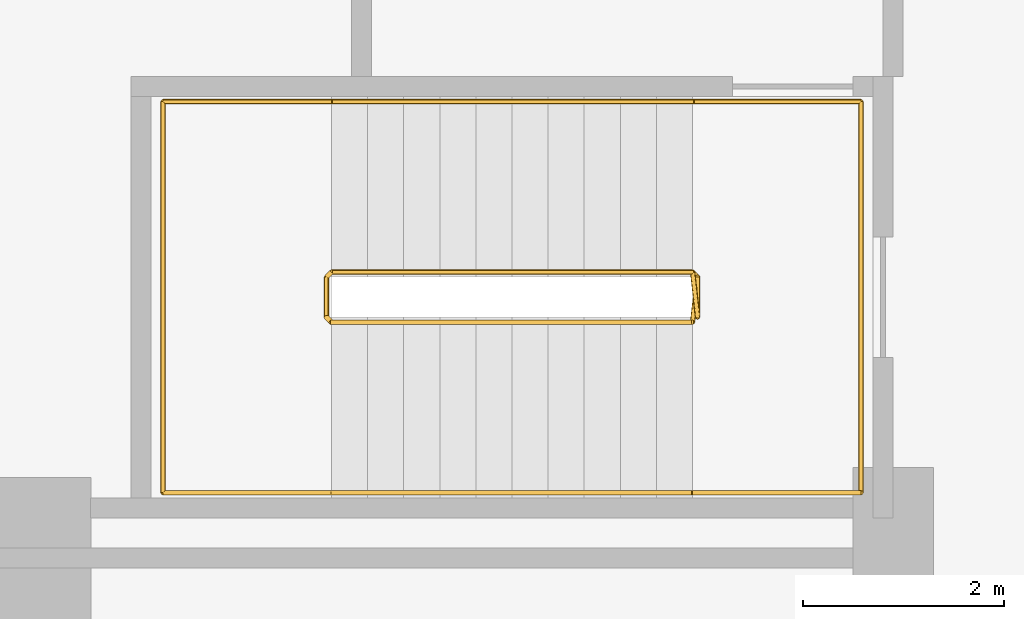
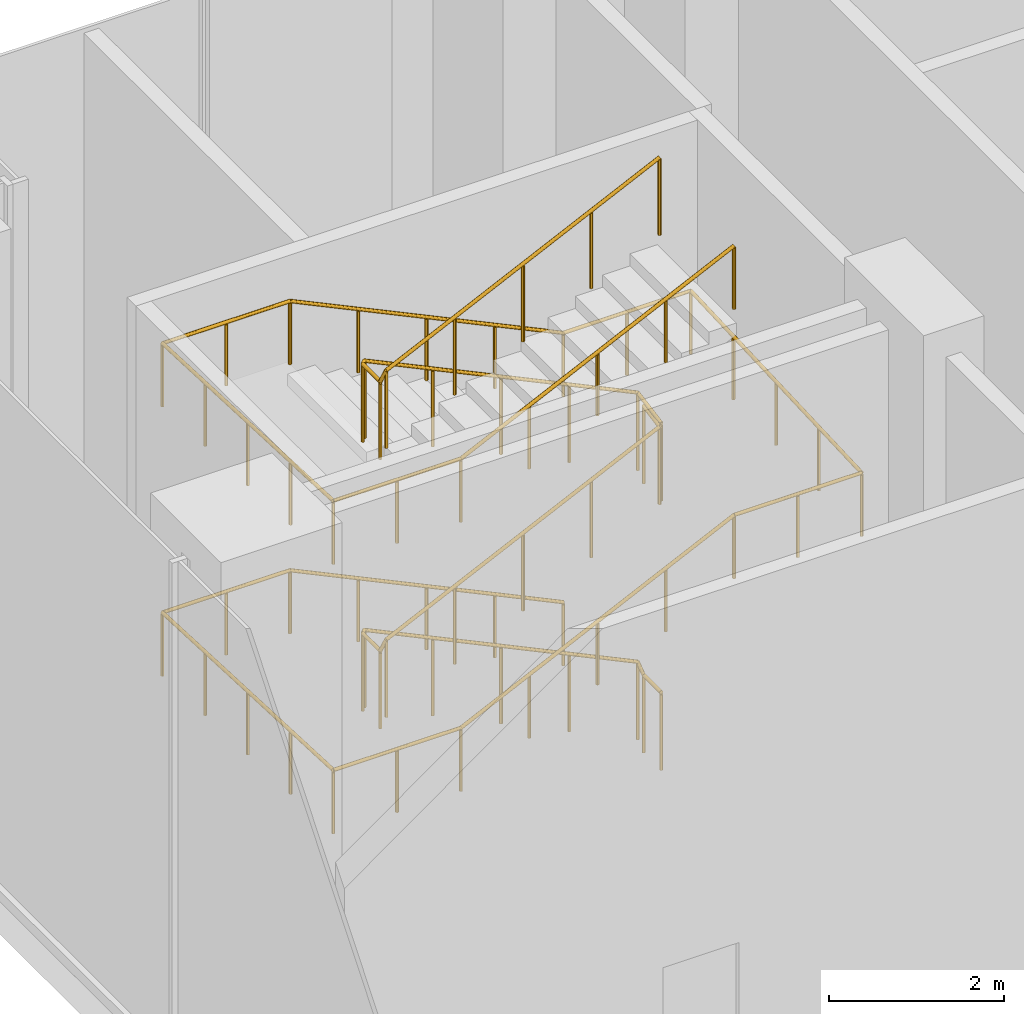
# One storey, part 40 of 41: 3 railings.
"""IFC4 building model written with IfcOpenShell, lengths in metres."""

import ifcopenshell
import ifcopenshell.guid

model = None  # the IFC model being written
_history = None  # IfcOwnerHistory: only IFC2X3 demands one
_inside = {}  # id of a spatial element -> (the spatial element, [elements in it])
_under = {}  # id of a project, library or spatial element -> (it, [spatial elements below it])
_declared = {}  # id of a project -> (the project, [libraries it declares])
_typed = {}  # id of a type object -> (the type object, [elements of that type])
_made_of = {}  # id of a material, layer set ... -> (it, [elements and type objects made of it])


def new_model(schema):
    """Start an empty IFC model of exactly this schema.

    Asked for "IFC4X3", IfcOpenShell would pick the latest addendum, in which some entities
    have other attributes; the version numbers below select the first issue.
    IFC2X3 requires an IfcOwnerHistory on every rooted entity: one is made here for all.
    """
    global model, _history
    if schema == "IFC4X3":
        model = ifcopenshell.file(schema_version=(4, 3, 0, 0))
    else:
        model = ifcopenshell.file(schema=schema)
    _inside.clear()
    _under.clear()
    _declared.clear()
    _typed.clear()
    _made_of.clear()
    _history = None
    if model.schema == "IFC2X3":
        org = make("IfcOrganization", Name="unknown")
        user = make(
            "IfcPersonAndOrganization",
            ThePerson=make("IfcPerson", FamilyName="unknown"),
            TheOrganization=org,
        )
        app = make(
            "IfcApplication",
            ApplicationDeveloper=org,
            Version="unknown",
            ApplicationFullName="unknown",
            ApplicationIdentifier="unknown",
        )
        _history = make(
            "IfcOwnerHistory",
            OwningUser=user,
            OwningApplication=app,
            ChangeAction="ADDED",
            CreationDate=0,
        )
    return model


def make(cls, **values):
    """One entity of the class cls with the attributes given. An attribute that is None is left unset."""
    return model.create_entity(
        cls, **{name: value for name, value in values.items() if value is not None}
    )


def rooted(cls, **values):
    """An entity with a GlobalId (a new one), such as an element, a storey or a relation."""
    return make(cls, GlobalId=ifcopenshell.guid.new(), OwnerHistory=_history, **values)


def si_unit(unit_type, name, prefix=None):
    """IfcSIUnit, for example si_unit("LENGTHUNIT", "METRE", prefix="MILLI")."""
    return make("IfcSIUnit", UnitType=unit_type, Prefix=prefix, Name=name)


def assignment(units):
    """IfcUnitAssignment: the units of a project."""
    return None if units is None else make("IfcUnitAssignment", Units=units)


def point(xyz):
    """IfcCartesianPoint."""
    return None if xyz is None else make("IfcCartesianPoint", Coordinates=xyz)


def direction(xyz):
    """IfcDirection."""
    return None if xyz is None else make("IfcDirection", DirectionRatios=xyz)


def frame(location, z_axis=None, x_axis=None):
    """IfcAxis2Placement3D, a coordinate frame: its origin and axes. An axis left out is left unset."""
    return make(
        "IfcAxis2Placement3D",
        Location=point(location),
        Axis=direction(z_axis),
        RefDirection=direction(x_axis),
    )


def frame_2d(location, x_axis=None):
    """IfcAxis2Placement2D, a coordinate frame in the plane: its origin and x axis."""
    return make(
        "IfcAxis2Placement2D", Location=point(location), RefDirection=direction(x_axis)
    )


def origin():
    """The frame at (0, 0, 0) with its axes left unset."""
    return frame((0.0, 0.0, 0.0))


def origin_2d():
    """The frame at (0, 0) in the plane with its x axis left unset."""
    return frame_2d((0.0, 0.0))


def place(relative_to, where):
    """IfcLocalPlacement: puts the frame where relative to a parent placement (None: the world)."""
    return make(
        "IfcLocalPlacement", PlacementRelTo=relative_to, RelativePlacement=where
    )


def context(
    kind, dimensions, precision=None, world=None, true_north=None, identifier=None
):
    """IfcGeometricRepresentationContext, for example the 3D "Model" context."""
    return make(
        "IfcGeometricRepresentationContext",
        ContextIdentifier=identifier,
        ContextType=kind,
        CoordinateSpaceDimension=dimensions,
        Precision=precision,
        WorldCoordinateSystem=world,
        TrueNorth=true_north,
    )


def subcontext(parent, identifier, kind, view, scale=None):
    """IfcGeometricRepresentationSubContext, for example "Body" below "Model"."""
    return make(
        "IfcGeometricRepresentationSubContext",
        ContextIdentifier=identifier,
        ContextType=kind,
        ParentContext=parent,
        TargetScale=scale,
        TargetView=view,
    )


def project(units=None, contexts=None):
    """IfcProject with its units and contexts."""
    return rooted(
        "IfcProject",
        Name="project",
        RepresentationContexts=contexts,
        UnitsInContext=assignment(units),
    )


def spatial(cls, under=None, at=None, **own):
    """A site, building, storey or space (cls), placed at a placement, below another one or the project."""
    s = rooted(cls, ObjectPlacement=at, **own)
    if under is not None:
        _under.setdefault(under.id(), (under, []))[1].append(s)
    return s


def profile(cls, at=None, kind="AREA", **sizes):
    """A parametric profile (cls). Its sizes go by their IFC names, for example OverallWidth=200.0."""
    return make(cls, ProfileType=kind, Position=at, **sizes)


def circle(**sizes):
    """IfcCircleProfileDef."""
    return profile("IfcCircleProfileDef", **sizes)


def extrude(swept, where, along, depth):
    """IfcExtrudedAreaSolid: the profile swept, set in the frame where, extruded along a direction by depth."""
    return make(
        "IfcExtrudedAreaSolid",
        SweptArea=swept,
        Position=where,
        ExtrudedDirection=direction(along),
        Depth=depth,
    )


def shape(context_of_items, identifier, shape_type, items):
    """IfcShapeRepresentation: the items that make up one representation, for example the "Body"."""
    return make(
        "IfcShapeRepresentation",
        ContextOfItems=context_of_items,
        RepresentationIdentifier=identifier,
        RepresentationType=shape_type,
        Items=items,
    )


def material(Name=None, Category=None):
    """IfcMaterial."""
    return make("IfcMaterial", Name=Name, Category=Category)


def made_of(thing, what):
    """Note that an element or type object is made of a material, layer set ...; save() writes the relation."""
    if what is not None:
        _made_of.setdefault(what.id(), (what, []))[1].append(thing)
    return thing


def type_object(cls, material=None, **own):
    """A type object (cls), such as IfcWallType, which elements share."""
    return made_of(rooted(cls, **own), material)


def element(
    cls,
    number,
    at=None,
    inside=None,
    cuts=None,
    type_object=None,
    material=None,
    context=None,
    identifier="Body",
    shape_type=None,
    held_by="IfcProductDefinitionShape",
    body=None,
    shapes=None,
    **own,
):
    """One element of the class cls, such as IfcWall. Its Tag is "e" and its number.

    at: its placement. inside: the storey or other place that contains it. cuts: it is an
    opening in that element (IfcRelVoidsElement). A single representation is given by context,
    identifier, shape_type and body (its items); several are given by shapes. held_by: the class
    of the entity that holds the representations. save() writes the other relations.
    """
    e = rooted(cls, Tag="e%d" % number, ObjectPlacement=at, **own)
    if body is not None:
        shapes = [shape(context, identifier, shape_type, body)]
    if shapes is not None:
        e.Representation = make(held_by, Representations=shapes)
    if inside is not None:
        _inside.setdefault(inside.id(), (inside, []))[1].append(e)
    if cuts is not None:
        rooted(
            "IfcRelVoidsElement", RelatingBuildingElement=cuts, RelatedOpeningElement=e
        )
    if type_object is not None:
        _typed.setdefault(type_object.id(), (type_object, []))[1].append(e)
    return made_of(e, material)


def aggregate(whole, parts):
    """IfcRelAggregates: a whole, such as a stair, and the parts it consists of."""
    return rooted("IfcRelAggregates", RelatingObject=whole, RelatedObjects=parts)


def save(model, path):
    """Write the relations noted so far, then the file.

    IfcRelAggregates (storeys below a building ...), IfcRelContainedInSpatialStructure (elements
    in a storey), IfcRelDefinesByType, IfcRelAssociatesMaterial and IfcRelDeclares: one each for
    every whole, place, type object, material and project.
    """
    for whole, parts in _under.values():
        aggregate(whole, parts)
    for where, things in _inside.values():
        rooted(
            "IfcRelContainedInSpatialStructure",
            RelatedElements=things,
            RelatingStructure=where,
        )
    for kind, things in _typed.values():
        rooted("IfcRelDefinesByType", RelatedObjects=things, RelatingType=kind)
    for what, things in _made_of.values():
        rooted("IfcRelAssociatesMaterial", RelatedObjects=things, RelatingMaterial=what)
    for by, libraries in _declared.values():
        rooted("IfcRelDeclares", RelatingContext=by, RelatedDefinitions=libraries)
    model.write(path)


model = new_model("IFC4")

# Units and contexts
model_context = context("Model", 3, precision=1e-05, world=origin(), true_north=direction((0.0, 1.0)))
body_context = subcontext(model_context, "Body", "Model", "MODEL_VIEW")
ifc_project = project(units=[si_unit("LENGTHUNIT", "METRE"), si_unit("AREAUNIT", "SQUARE_METRE"), si_unit("VOLUMEUNIT", "CUBIC_METRE"), si_unit("PLANEANGLEUNIT", "RADIAN"), si_unit("MASSUNIT", "GRAM", prefix="KILO")], contexts=[model_context])

# Site, building, storey
site_placement = place(None, origin())
site = spatial("IfcSite", under=ifc_project, at=site_placement, CompositionType="ELEMENT")
building_placement = place(site_placement, origin())
building = spatial("IfcBuilding", under=site, at=building_placement, Name="Kemantara Hotel Tower", CompositionType="ELEMENT")
storey_placement = place(building_placement, origin())
storey = spatial("IfcBuildingStorey", under=building, at=storey_placement, Name="L00", CompositionType="ELEMENT", Elevation=0.0)

# Railings
ifc_material = material(Name="Stainless steel balustrade", Category="steel")
railing_type_1 = type_object("IfcRailingType", Name="Stair guard 1100 mm", PredefinedType="GUARDRAIL", material=ifc_material)
railing_1_placement = place(storey_placement, frame((7.800048828125, 73.75, 7.5)))
element("IfcRailing", 1, at=railing_1_placement, inside=storey, type_object=railing_type_1, Name="L00 ST6 stair guard 1", PredefinedType="GUARDRAIL", context=body_context, shape_type="SweptSolid", body=[
    extrude(circle(Radius=0.02392578125, at=origin_2d()), frame((0.0, 0.0, 1.076171875), z_axis=(-0.903807716052, 0.0, -0.427938795163), x_axis=(0.0, -1.0, 0.0)), (0.0, 0.0, 1.0), 3.983154296875),
    extrude(circle(Radius=0.02392578125, at=origin_2d()), frame((-3.60009765625, 0.0, -0.62841796875), z_axis=(-0.271230943075, 0.271230943075, -0.923508284228), x_axis=(-0.707106781187, -0.707106781187, 0.0)), (0.0, 0.0, 1.0), 0.1845703125),
    extrude(circle(Radius=0.02392578125, at=origin_2d()), frame((-3.650146484375, 0.050048828125, -0.798828125), z_axis=(0.0, 1.0, 0.0), x_axis=(-1.0, 0.0, 0.0)), (0.0, 0.0, 1.0), 0.39990234375),
    extrude(circle(Radius=0.02392578125, at=origin_2d()), frame((-3.650146484375, 0.449951171875, -0.798828125), z_axis=(0.707106781187, 0.707106781187, 0.0), x_axis=(-0.707106781187, 0.707106781187, 0.0)), (0.0, 0.0, 1.0), 0.07080078125),
    extrude(circle(Radius=0.02392578125, at=origin_2d()), frame((-3.60009765625, 0.5, -0.798828125), z_axis=(0.903807716052, 0.0, -0.427938795163), x_axis=(0.0, 1.0, 0.0)), (0.0, 0.0, 1.0), 3.983154296875),
    extrude(circle(Radius=0.02392578125, at=origin_2d()), frame((0.0, 0.5, -2.50341796875), z_axis=(0.103463093947, -0.930158449486, -0.35227921744), x_axis=(0.993870574751, 0.110549901152, 0.0)), (0.0, 0.0, 1.0), 0.483642578125),
    extrude(circle(Radius=0.02392578125, at=origin_2d()), frame((0.050048828125, 0.050048828125, -2.673828125), z_axis=(0.0, 1.0, 0.0), x_axis=(-1.0, 0.0, 0.0)), (0.0, 0.0, 1.0), 0.39990234375),
    extrude(circle(Radius=0.02392578125, at=origin_2d()), frame((0.050048828125, 0.449951171875, -2.673828125), z_axis=(-0.110549901152, -0.993870574751, 0.0), x_axis=(0.993870574751, -0.110549901152, 0.0)), (0.0, 0.0, 1.0), 0.45263671875),
    extrude(circle(Radius=0.02392578125, at=origin_2d()), frame((0.0, 0.0, -2.673828125), z_axis=(-0.903807716052, 0.0, -0.427938795163), x_axis=(0.0, -1.0, 0.0)), (0.0, 0.0, 1.0), 3.983154296875),
    extrude(circle(Radius=0.02392578125, at=origin_2d()), frame((-3.60009765625, 0.0, -4.37841796875), z_axis=(-0.271230943075, 0.271230943075, -0.923508284228), x_axis=(-0.707106781187, -0.707106781187, 0.0)), (0.0, 0.0, 1.0), 0.1845703125),
    extrude(circle(Radius=0.02392578125, at=origin_2d()), frame((-3.650146484375, 0.050048828125, -4.548828125), z_axis=(0.0, 1.0, 0.0), x_axis=(-1.0, 0.0, 0.0)), (0.0, 0.0, 1.0), 0.39990234375),
    extrude(circle(Radius=0.02392578125, at=origin_2d()), frame((-3.650146484375, 0.449951171875, -4.548828125), z_axis=(0.707106781187, 0.707106781187, 0.0), x_axis=(-0.707106781187, 0.707106781187, 0.0)), (0.0, 0.0, 1.0), 0.07080078125),
    extrude(circle(Radius=0.02392578125, at=origin_2d()), frame((-3.60009765625, 0.5, -4.548828125), z_axis=(0.903807716052, 0.0, -0.427938795163), x_axis=(0.0, 1.0, 0.0)), (0.0, 0.0, 1.0), 3.983154296875),
    extrude(circle(Radius=0.02392578125, at=origin_2d()), frame((0.0, 0.5, -6.25341796875), z_axis=(0.271230943075, -0.271230943075, -0.923508284228), x_axis=(0.707106781187, 0.707106781187, 0.0)), (0.0, 0.0, 1.0), 0.1845703125),
    extrude(circle(Radius=0.02392578125, at=origin_2d()), frame((0.050048828125, 0.449951171875, -6.423828125), z_axis=(0.0, -1.0, 0.0), x_axis=(1.0, 0.0, 0.0)), (0.0, 0.0, 1.0), 0.39990234375),
    extrude(circle(Radius=0.02099609375, at=origin_2d()), origin(), (0.0, 0.0, 1.0), 1.052001953125),
    extrude(circle(Radius=0.02099609375, at=origin_2d()), frame((-0.89990234375, 0.0, -0.42626953125)), (0.0, 0.0, 1.0), 1.052001953125),
    extrude(circle(Radius=0.02099609375, at=origin_2d()), frame((-1.800048828125, 0.0, -0.852294921875)), (0.0, 0.0, 1.0), 1.052001953125),
    extrude(circle(Radius=0.02099609375, at=origin_2d()), frame((-2.7001953125, 0.0, -1.2783203125)), (0.0, 0.0, 1.0), 1.052001953125),
    extrude(circle(Radius=0.02099609375, at=origin_2d()), frame((-3.60009765625, 0.0, -1.70458984375)), (0.0, 0.0, 1.0), 1.052001953125),
    extrude(circle(Radius=0.02099609375, at=origin_2d()), frame((-3.650146484375, 0.050048828125, -1.875)), (0.0, 0.0, 1.0), 1.052001953125),
    extrude(circle(Radius=0.02099609375, at=origin_2d()), frame((-3.650146484375, 0.449951171875, -1.875)), (0.0, 0.0, 1.0), 1.052001953125),
    extrude(circle(Radius=0.02099609375, at=origin_2d()), frame((-3.60009765625, 0.5, -1.875)), (0.0, 0.0, 1.0), 1.052001953125),
    extrude(circle(Radius=0.02099609375, at=origin_2d()), frame((-2.7001953125, 0.5, -2.30126953125)), (0.0, 0.0, 1.0), 1.052001953125),
    extrude(circle(Radius=0.02099609375, at=origin_2d()), frame((-1.800048828125, 0.5, -2.727294921875)), (0.0, 0.0, 1.0), 1.052001953125),
    extrude(circle(Radius=0.02099609375, at=origin_2d()), frame((-0.89990234375, 0.5, -3.1533203125)), (0.0, 0.0, 1.0), 1.052001953125),
    extrude(circle(Radius=0.02099609375, at=origin_2d()), frame((0.0, 0.5, -3.57958984375)), (0.0, 0.0, 1.0), 1.052001953125),
    extrude(circle(Radius=0.02099609375, at=origin_2d()), frame((0.050048828125, 0.050048828125, -3.75)), (0.0, 0.0, 1.0), 1.052001953125),
    extrude(circle(Radius=0.02099609375, at=origin_2d()), frame((0.050048828125, 0.449951171875, -3.75)), (0.0, 0.0, 1.0), 1.052001953125),
    extrude(circle(Radius=0.02099609375, at=origin_2d()), frame((0.0, 0.0, -3.75)), (0.0, 0.0, 1.0), 1.052001953125),
    extrude(circle(Radius=0.02099609375, at=origin_2d()), frame((-0.89990234375, 0.0, -4.17626953125)), (0.0, 0.0, 1.0), 1.052001953125),
    extrude(circle(Radius=0.02099609375, at=origin_2d()), frame((-1.800048828125, 0.0, -4.602294921875)), (0.0, 0.0, 1.0), 1.052001953125),
    extrude(circle(Radius=0.02099609375, at=origin_2d()), frame((-2.7001953125, 0.0, -5.0283203125)), (0.0, 0.0, 1.0), 1.052001953125),
    extrude(circle(Radius=0.02099609375, at=origin_2d()), frame((-3.60009765625, 0.0, -5.45458984375)), (0.0, 0.0, 1.0), 1.052001953125),
    extrude(circle(Radius=0.02099609375, at=origin_2d()), frame((-3.650146484375, 0.050048828125, -5.625)), (0.0, 0.0, 1.0), 1.052001953125),
    extrude(circle(Radius=0.02099609375, at=origin_2d()), frame((-3.650146484375, 0.449951171875, -5.625)), (0.0, 0.0, 1.0), 1.052001953125),
    extrude(circle(Radius=0.02099609375, at=origin_2d()), frame((-3.60009765625, 0.5, -5.625)), (0.0, 0.0, 1.0), 1.052001953125),
    extrude(circle(Radius=0.02099609375, at=origin_2d()), frame((-2.7001953125, 0.5, -6.05126953125)), (0.0, 0.0, 1.0), 1.052001953125),
    extrude(circle(Radius=0.02099609375, at=origin_2d()), frame((-1.800048828125, 0.5, -6.477294921875)), (0.0, 0.0, 1.0), 1.052001953125),
    extrude(circle(Radius=0.02099609375, at=origin_2d()), frame((-0.89990234375, 0.5, -6.9033203125)), (0.0, 0.0, 1.0), 1.052001953125),
    extrude(circle(Radius=0.02099609375, at=origin_2d()), frame((0.0, 0.5, -7.32958984375)), (0.0, 0.0, 1.0), 1.052001953125),
    extrude(circle(Radius=0.02099609375, at=origin_2d()), frame((0.050048828125, 0.449951171875, -7.5)), (0.0, 0.0, 1.0), 1.052001953125),
    extrude(circle(Radius=0.02099609375, at=origin_2d()), frame((0.050048828125, 0.050048828125, -7.5)), (0.0, 0.0, 1.0), 1.052001953125),
])
railing_type_2 = type_object("IfcRailingType", Name="Stair handrail 900 mm", PredefinedType="HANDRAIL", material=ifc_material)
railing_2_placement = place(storey_placement, frame((7.800048828125, 75.949951171875, 0.17041015625)))
element("IfcRailing", 2, at=railing_2_placement, inside=storey, type_object=railing_type_2, Name="L00 ST6 stair handrail 1", PredefinedType="HANDRAIL", context=body_context, shape_type="SweptSolid", body=[
    extrude(circle(Radius=0.02392578125, at=origin_2d()), frame((0.0, 0.0, 0.8759765625), z_axis=(-0.903807716052, 0.0, 0.427938795163), x_axis=(0.0, -1.0, 0.0)), (0.0, 0.0, 1.0), 3.983154296875),
    extrude(circle(Radius=0.02392578125, at=origin_2d()), frame((-3.60009765625, 0.0, 2.58056640625), z_axis=(-1.0, 0.0, 0.0), x_axis=(0.0, -1.0, 0.0)), (0.0, 0.0, 1.0), 1.679931640625),
    extrude(circle(Radius=0.02392578125, at=origin_2d()), frame((-5.280029296875, 0.0, 2.58056640625), z_axis=(0.0, -0.999046694451, 0.043654350365), x_axis=(1.0, 0.0, 0.0)), (0.0, 0.0, 1.0), 3.903564453125),
    extrude(circle(Radius=0.02392578125, at=origin_2d()), frame((-5.280029296875, -3.89990234375, 2.7509765625), z_axis=(1.0, 0.0, 0.0), x_axis=(0.0, 1.0, 0.0)), (0.0, 0.0, 1.0), 1.679931640625),
    extrude(circle(Radius=0.02392578125, at=origin_2d()), frame((-3.60009765625, -3.89990234375, 2.7509765625), z_axis=(0.903807716052, 0.0, 0.427938795163), x_axis=(0.0, 1.0, 0.0)), (0.0, 0.0, 1.0), 3.983154296875),
    extrude(circle(Radius=0.02392578125, at=origin_2d()), frame((0.0, -3.89990234375, 4.45556640625), z_axis=(1.0, 0.0, 0.0), x_axis=(0.0, 1.0, 0.0)), (0.0, 0.0, 1.0), 1.679931640625),
    extrude(circle(Radius=0.02099609375, at=origin_2d()), origin(), (0.0, 0.0, 1.0), 0.851806640625),
    extrude(circle(Radius=0.02099609375, at=origin_2d()), frame((-0.89990234375, 0.0, 0.42626953125)), (0.0, 0.0, 1.0), 0.851806640625),
    extrude(circle(Radius=0.02099609375, at=origin_2d()), frame((-1.800048828125, 0.0, 0.852294921875)), (0.0, 0.0, 1.0), 0.851806640625),
    extrude(circle(Radius=0.02099609375, at=origin_2d()), frame((-2.7001953125, 0.0, 1.2783203125)), (0.0, 0.0, 1.0), 0.851806640625),
    extrude(circle(Radius=0.02099609375, at=origin_2d()), frame((-3.60009765625, 0.0, 1.70458984375)), (0.0, 0.0, 1.0), 0.851806640625),
    extrude(circle(Radius=0.02099609375, at=origin_2d()), frame((-4.43994140625, 0.0, 1.70458984375)), (0.0, 0.0, 1.0), 0.851806640625),
    extrude(circle(Radius=0.02099609375, at=origin_2d()), frame((-5.280029296875, 0.0, 1.70458984375)), (0.0, 0.0, 1.0), 0.851806640625),
    extrude(circle(Radius=0.02099609375, at=origin_2d()), frame((-5.280029296875, -0.97509765625, 1.7470703125)), (0.0, 0.0, 1.0), 0.851806640625),
    extrude(circle(Radius=0.02099609375, at=origin_2d()), frame((-5.280029296875, -1.949951171875, 1.789794921875)), (0.0, 0.0, 1.0), 0.851806640625),
    extrude(circle(Radius=0.02099609375, at=origin_2d()), frame((-5.280029296875, -2.9248046875, 1.83251953125)), (0.0, 0.0, 1.0), 0.851806640625),
    extrude(circle(Radius=0.02099609375, at=origin_2d()), frame((-5.280029296875, -3.89990234375, 1.875)), (0.0, 0.0, 1.0), 0.851806640625),
    extrude(circle(Radius=0.02099609375, at=origin_2d()), frame((-4.43994140625, -3.89990234375, 1.875)), (0.0, 0.0, 1.0), 0.851806640625),
    extrude(circle(Radius=0.02099609375, at=origin_2d()), frame((-3.60009765625, -3.89990234375, 1.875)), (0.0, 0.0, 1.0), 0.851806640625),
    extrude(circle(Radius=0.02099609375, at=origin_2d()), frame((-2.7001953125, -3.89990234375, 2.30126953125)), (0.0, 0.0, 1.0), 0.851806640625),
    extrude(circle(Radius=0.02099609375, at=origin_2d()), frame((-1.800048828125, -3.89990234375, 2.727294921875)), (0.0, 0.0, 1.0), 0.851806640625),
    extrude(circle(Radius=0.02099609375, at=origin_2d()), frame((-0.89990234375, -3.89990234375, 3.1533203125)), (0.0, 0.0, 1.0), 0.851806640625),
    extrude(circle(Radius=0.02099609375, at=origin_2d()), frame((0.0, -3.89990234375, 3.57958984375)), (0.0, 0.0, 1.0), 0.851806640625),
    extrude(circle(Radius=0.02099609375, at=origin_2d()), frame((0.83984375, -3.89990234375, 3.57958984375)), (0.0, 0.0, 1.0), 0.851806640625),
    extrude(circle(Radius=0.02099609375, at=origin_2d()), frame((1.679931640625, -3.89990234375, 3.57958984375)), (0.0, 0.0, 1.0), 0.851806640625),
])
railing_3_placement = place(storey_placement, frame((9.47998046875, 72.050048828125, 3.75)))
element("IfcRailing", 3, at=railing_3_placement, inside=storey, type_object=railing_type_2, Name="L00 ST6 stair handrail 2", PredefinedType="HANDRAIL", context=body_context, shape_type="SweptSolid", body=[
    extrude(circle(Radius=0.02392578125, at=origin_2d()), frame((0.0, 0.0, 0.8759765625), z_axis=(0.0, 0.999046694451, 0.043654350365), x_axis=(-1.0, 0.0, 0.0)), (0.0, 0.0, 1.0), 3.903564453125),
    extrude(circle(Radius=0.02392578125, at=origin_2d()), frame((0.0, 3.89990234375, 1.04638671875), z_axis=(-1.0, 0.0, 0.0), x_axis=(0.0, -1.0, 0.0)), (0.0, 0.0, 1.0), 1.679931640625),
    extrude(circle(Radius=0.02392578125, at=origin_2d()), frame((-1.679931640625, 3.89990234375, 1.04638671875), z_axis=(-0.903807716052, 0.0, 0.427938795163), x_axis=(0.0, -1.0, 0.0)), (0.0, 0.0, 1.0), 3.983154296875),
    extrude(circle(Radius=0.02392578125, at=origin_2d()), frame((-5.280029296875, 3.89990234375, 2.7509765625), z_axis=(-1.0, 0.0, 0.0), x_axis=(0.0, -1.0, 0.0)), (0.0, 0.0, 1.0), 1.679931640625),
    extrude(circle(Radius=0.02392578125, at=origin_2d()), frame((-6.9599609375, 3.89990234375, 2.7509765625), z_axis=(0.0, -0.999046694451, 0.043654350365), x_axis=(1.0, 0.0, 0.0)), (0.0, 0.0, 1.0), 3.903564453125),
    extrude(circle(Radius=0.02392578125, at=origin_2d()), frame((-6.9599609375, 0.0, 2.92138671875), z_axis=(1.0, 0.0, 0.0), x_axis=(0.0, 1.0, 0.0)), (0.0, 0.0, 1.0), 1.679931640625),
    extrude(circle(Radius=0.02392578125, at=origin_2d()), frame((-5.280029296875, 0.0, 2.92138671875), z_axis=(0.903807716052, 0.0, 0.427938795163), x_axis=(0.0, 1.0, 0.0)), (0.0, 0.0, 1.0), 3.983154296875),
    extrude(circle(Radius=0.02099609375, at=origin_2d()), origin(), (0.0, 0.0, 1.0), 0.851806640625),
    extrude(circle(Radius=0.02099609375, at=origin_2d()), frame((0.0, 0.97509765625, 0.04248046875)), (0.0, 0.0, 1.0), 0.851806640625),
    extrude(circle(Radius=0.02099609375, at=origin_2d()), frame((0.0, 1.949951171875, 0.085205078125)), (0.0, 0.0, 1.0), 0.851806640625),
    extrude(circle(Radius=0.02099609375, at=origin_2d()), frame((0.0, 2.9248046875, 0.1279296875)), (0.0, 0.0, 1.0), 0.851806640625),
    extrude(circle(Radius=0.02099609375, at=origin_2d()), frame((0.0, 3.89990234375, 0.17041015625)), (0.0, 0.0, 1.0), 0.851806640625),
    extrude(circle(Radius=0.02099609375, at=origin_2d()), frame((-0.83984375, 3.89990234375, 0.17041015625)), (0.0, 0.0, 1.0), 0.851806640625),
    extrude(circle(Radius=0.02099609375, at=origin_2d()), frame((-1.679931640625, 3.89990234375, 0.17041015625)), (0.0, 0.0, 1.0), 0.851806640625),
    extrude(circle(Radius=0.02099609375, at=origin_2d()), frame((-2.580078125, 3.89990234375, 0.5966796875)), (0.0, 0.0, 1.0), 0.851806640625),
    extrude(circle(Radius=0.02099609375, at=origin_2d()), frame((-3.47998046875, 3.89990234375, 1.022705078125)), (0.0, 0.0, 1.0), 0.851806640625),
    extrude(circle(Radius=0.02099609375, at=origin_2d()), frame((-4.3798828125, 3.89990234375, 1.44873046875)), (0.0, 0.0, 1.0), 0.851806640625),
    extrude(circle(Radius=0.02099609375, at=origin_2d()), frame((-5.280029296875, 3.89990234375, 1.875)), (0.0, 0.0, 1.0), 0.851806640625),
    extrude(circle(Radius=0.02099609375, at=origin_2d()), frame((-6.1201171875, 3.89990234375, 1.875)), (0.0, 0.0, 1.0), 0.851806640625),
    extrude(circle(Radius=0.02099609375, at=origin_2d()), frame((-6.9599609375, 3.89990234375, 1.875)), (0.0, 0.0, 1.0), 0.851806640625),
    extrude(circle(Radius=0.02099609375, at=origin_2d()), frame((-6.9599609375, 2.9248046875, 1.91748046875)), (0.0, 0.0, 1.0), 0.851806640625),
    extrude(circle(Radius=0.02099609375, at=origin_2d()), frame((-6.9599609375, 1.949951171875, 1.960205078125)), (0.0, 0.0, 1.0), 0.851806640625),
    extrude(circle(Radius=0.02099609375, at=origin_2d()), frame((-6.9599609375, 0.97509765625, 2.0029296875)), (0.0, 0.0, 1.0), 0.851806640625),
    extrude(circle(Radius=0.02099609375, at=origin_2d()), frame((-6.9599609375, 0.0, 2.04541015625)), (0.0, 0.0, 1.0), 0.851806640625),
    extrude(circle(Radius=0.02099609375, at=origin_2d()), frame((-6.1201171875, 0.0, 2.04541015625)), (0.0, 0.0, 1.0), 0.851806640625),
    extrude(circle(Radius=0.02099609375, at=origin_2d()), frame((-5.280029296875, 0.0, 2.04541015625)), (0.0, 0.0, 1.0), 0.851806640625),
    extrude(circle(Radius=0.02099609375, at=origin_2d()), frame((-4.3798828125, 0.0, 2.4716796875)), (0.0, 0.0, 1.0), 0.851806640625),
    extrude(circle(Radius=0.02099609375, at=origin_2d()), frame((-3.47998046875, 0.0, 2.897705078125)), (0.0, 0.0, 1.0), 0.851806640625),
    extrude(circle(Radius=0.02099609375, at=origin_2d()), frame((-2.580078125, 0.0, 3.32373046875)), (0.0, 0.0, 1.0), 0.851806640625),
    extrude(circle(Radius=0.02099609375, at=origin_2d()), frame((-1.679931640625, 0.0, 3.75)), (0.0, 0.0, 1.0), 0.851806640625),
])

save(model, "model.ifc")
